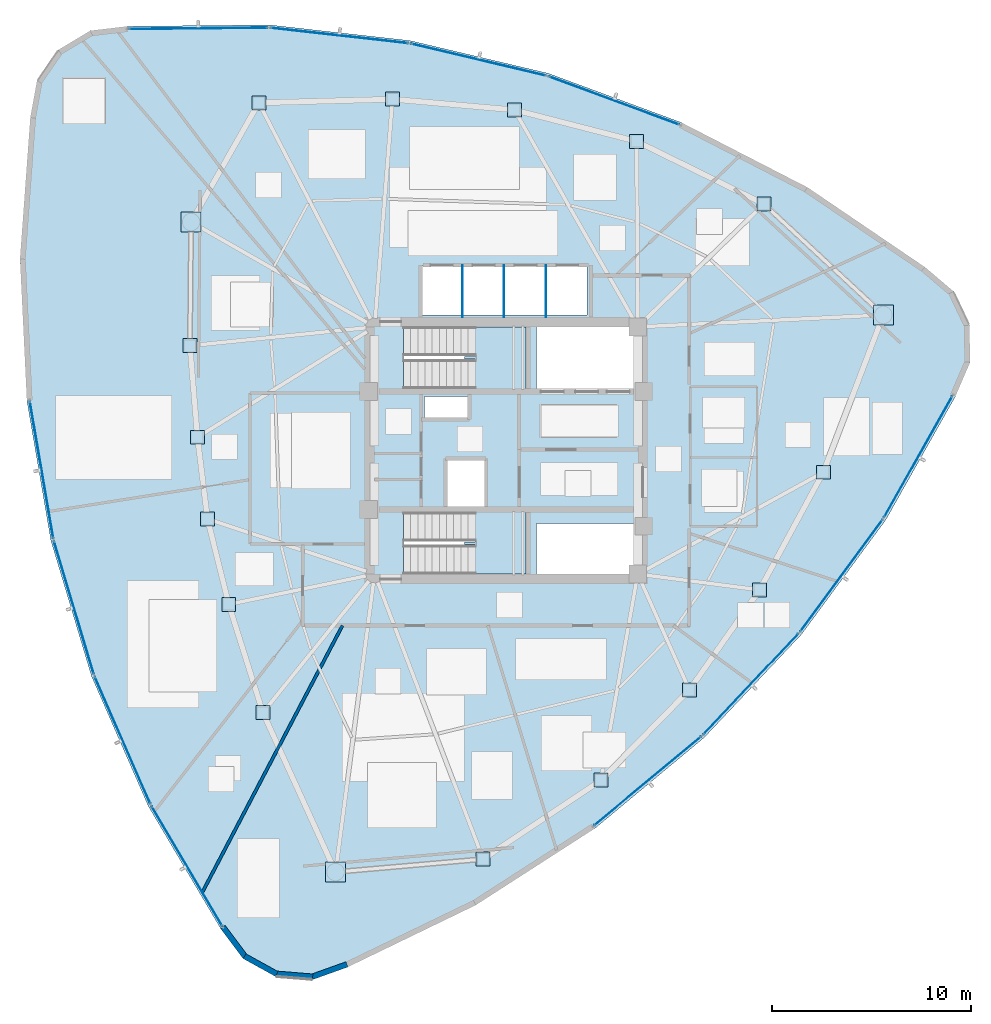
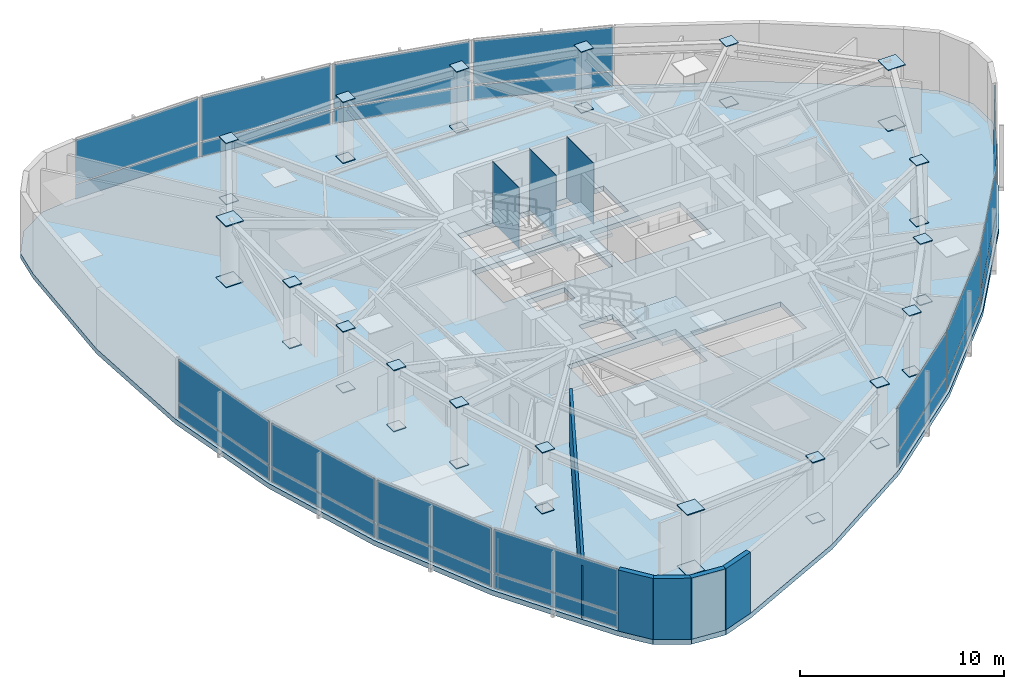
# One storey, part 9 of 15: 63 plates, 5 walls, 3 slabs, 14 elements without a shape of their own.
"""IFC4 building model written with IfcOpenShell, lengths in metres."""

from ifc_helpers import new_model, si_unit, direction, frame, frame_2d, origin, origin_2d, place, context, subcontext, project, spatial, polyline, rectangle, outline, extrude, source, transform, mapped, material, layer, layer_set, type_object, type_shapes, element, aggregate, save


model = new_model("IFC4")

# Units and contexts
model_context = context("Model", 3, precision=1e-05, world=origin(), true_north=direction((0.0, 1.0)))
body_context = subcontext(model_context, "Body", "Model", "MODEL_VIEW")
ifc_project = project(units=[si_unit("LENGTHUNIT", "METRE"), si_unit("AREAUNIT", "SQUARE_METRE"), si_unit("VOLUMEUNIT", "CUBIC_METRE"), si_unit("PLANEANGLEUNIT", "RADIAN"), si_unit("MASSUNIT", "GRAM", prefix="KILO")], contexts=[model_context])

# Site, building, storey
site_placement = place(None, origin())
site = spatial("IfcSite", under=ifc_project, at=site_placement, CompositionType="ELEMENT")
building_placement = place(site_placement, origin())
building = spatial("IfcBuilding", under=site, at=building_placement, Name="Tavelor Broadcast Tower", CompositionType="ELEMENT")
storey_placement = place(building_placement, frame((0.0, 0.0, 222.14990234375)))
storey = spatial("IfcBuildingStorey", under=building, at=storey_placement, Name="L52", CompositionType="ELEMENT", Elevation=222.14990234375)

# Stair, slab
ifc_material_1 = material(Name="Concrete C40/50", Category="concrete")
stair_type = type_object("IfcStairType", Name="Reinforced Concrete Protected Dogleg Stair 1450 mm", PredefinedType="HALF_TURN_STAIR", material=ifc_material_1)
stair_1_placement = place(storey_placement, origin())
stair_1 = element("IfcStair", 1, at=stair_1_placement, inside=storey, type_object=stair_type, Name="L52 Protected Core Exit Stair ST1", PredefinedType="HALF_TURN_STAIR")
ifc_layer_1 = layer(ifc_material_1, 0.199951171875)
ifc_layer_set_1 = layer_set([ifc_layer_1], Name="Concrete C40/50")
slab_type_1 = type_object("IfcSlabType", Name="Reinforced Concrete Stair Half-Landing Slab 200 mm", PredefinedType="LANDING", material=ifc_layer_set_1)
slab_1_placement = place(storey_placement, frame((0.0, 0.0, 1.775146484375)))
slab_1 = element("IfcSlab", 2, at=slab_1_placement, type_object=slab_type_1, Name="ST1 landing 1", PredefinedType="LANDING", context=body_context, shape_type="SweptSolid", body=[
    extrude(outline(polyline([(48.445068359375, 49.590087890625), (48.445068359375, 48.094970703125), (51.0048828125, 48.094970703125), (51.0048828125, 51.205078125), (48.445068359375, 51.205078125), (48.445068359375, 49.7099609375), (47.905029296875, 49.7099609375), (47.905029296875, 49.590087890625), (48.445068359375, 49.590087890625)])), origin(), (0.0, 0.0, 1.0), 0.199951171875),
])
aggregate(stair_1, [slab_1])

stair_2_placement = place(storey_placement, origin())
stair_2 = element("IfcStair", 3, at=stair_2_placement, inside=storey, type_object=stair_type, Name="L52 Protected Core Exit Stair ST2", PredefinedType="HALF_TURN_STAIR")
slab_2_placement = place(storey_placement, frame((0.0, 0.0, 1.775146484375)))
slab_2 = element("IfcSlab", 4, at=slab_2_placement, type_object=slab_type_1, Name="ST2 landing 1", PredefinedType="LANDING", context=body_context, shape_type="SweptSolid", body=[
    extrude(outline(polyline([(48.445068359375, 40.2900390625), (48.445068359375, 38.794921875), (51.0048828125, 38.794921875), (51.0048828125, 41.905029296875), (48.445068359375, 41.905029296875), (48.445068359375, 40.409912109375), (47.905029296875, 40.409912109375), (47.905029296875, 40.2900390625), (48.445068359375, 40.2900390625)])), origin(), (0.0, 0.0, 1.0), 0.199951171875),
])
aggregate(stair_2, [slab_2])

# Slab
ifc_layer_2 = layer(ifc_material_1, 0.300048828125)
ifc_layer_set_2 = layer_set([ifc_layer_2], Name="Concrete C40/50")
slab_type_2 = type_object("IfcSlabType", Name="Tower Composite Floor Slab 300 mm", PredefinedType="FLOOR", material=ifc_layer_set_2)
slab_3_placement = place(storey_placement, frame((0.0, 0.0, -0.2998046875)))
element("IfcSlab", 5, at=slab_3_placement, inside=storey, type_object=slab_type_2, Name="L52 Structural Floor Slab", PredefinedType="FLOOR", context=body_context, shape_type="SweptSolid", body=[
    extrude(outline(polyline([(30.9912109375, 66.277587890625), (29.1337890625, 66.0576171875), (27.531494140625, 65.093017578125), (26.468017578125, 63.554443359375), (26.132080078125, 61.714599609375), (25.613525390625, 54.614501953125), (25.9580078125, 47.50390625), (27.16064453125, 40.4873046875), (29.203369140625, 33.66796875), (32.056396484375, 27.145751953125), (35.677490234375, 21.0166015625), (36.796630859375, 19.51806640625), (38.43310546875, 18.61279296875), (40.29736328125, 18.461181640625), (42.058837890625, 19.090087890625), (48.466796875, 22.191162109375), (54.452392578125, 26.044921875), (59.927734375, 30.594482421875), (64.812255859375, 35.773193359375), (69.0341796875, 41.505126953125), (72.53125, 47.705810546875), (73.26953125, 49.42431640625), (73.2353515625, 51.294189453125), (72.4345703125, 52.984375), (71.00927734375, 54.1953125), (65.11962890625, 58.1943359375), (58.78955078125, 61.451171875), (52.11181640625, 63.918212890625), (45.1845703125, 65.558837890625), (38.109619140625, 66.34912109375), (30.9912109375, 66.277587890625)]), holes=[polyline([(56.60009765625, 41.35009765625), (56.60009765625, 38.800048828125), (51.52001953125, 38.800048828125), (51.52001953125, 41.35009765625), (56.60009765625, 41.35009765625)]), polyline([(50.99609375, 38.803955078125), (44.85400390625, 38.803955078125), (44.85400390625, 41.89599609375), (50.99609375, 41.89599609375), (50.99609375, 38.803955078125)]), polyline([(47.050048828125, 42.199951171875), (47.050048828125, 44.550048828125), (48.949951171875, 44.550048828125), (48.949951171875, 42.199951171875), (47.050048828125, 42.199951171875)]), polyline([(48.050048828125, 46.64990234375), (45.89990234375, 46.64990234375), (45.89990234375, 47.699951171875), (48.050048828125, 47.699951171875), (48.050048828125, 46.64990234375)]), polyline([(50.99609375, 48.10400390625), (44.85400390625, 48.10400390625), (44.85400390625, 51.196044921875), (50.99609375, 51.196044921875), (50.99609375, 48.10400390625)]), polyline([(56.60009765625, 48.10009765625), (51.52001953125, 48.10009765625), (51.52001953125, 51.199951171875), (56.60009765625, 51.199951171875), (56.60009765625, 48.10009765625)]), polyline([(54.050048828125, 51.800048828125), (45.800048828125, 51.800048828125), (45.800048828125, 54.25), (54.050048828125, 54.25), (54.050048828125, 51.800048828125)])]), origin(), (0.0, 0.0, 1.0), 0.2998046875),
])

# Plates
ifc_material_2 = material(Name="Steel S460", Category="steel")
ifc_layer_3 = layer(ifc_material_2, 0.050048828125)
ifc_layer_set_3 = layer_set([ifc_layer_3], Name="Steel S460")
plate_type_1 = type_object("IfcPlateType", Name="Tube Hollow-End Cap Plate KN05 700x700x50", PredefinedType="USERDEFINED", material=ifc_layer_set_3)
shared_shape_1 = source(origin(), body_context, "Body", "SweptSolid", [
    extrude(rectangle(XDim=0.699951171875, YDim=0.699951171875, at=origin_2d()), origin(), (0.0, 0.0, 1.0), 0.054931640625),
])
for number, where, z_axis, x_axis, name in (
    (6, (34.13720703125, 50.255859375, -0.02734375), (0.0, 0.0, 1.0), (1.0, 0.0, 0.0), "L52 Hollow End Cap Plate KN05 #1527"),
    (7, (34.13720703125, 50.255859375, 3.62255859375), (0.0, 0.0, 1.0), (1.0, 0.0, 0.0), "L52 Hollow End Cap Plate KN05 #1528"),
    (8, (34.513671875, 45.66455078125, -0.02734375), (0.0, 0.0, 1.0), (1.0, 0.0, 0.0), "L52 Hollow End Cap Plate KN05 #1529"),
    (9, (34.513671875, 45.66455078125, 3.62255859375), (0.0, 0.0, 1.0), (1.0, 0.0, 0.0), "L52 Hollow End Cap Plate KN05 #1530"),
    (10, (35.018798828125, 41.56396484375, -0.02734375), (0.0, 0.0, 1.0), (1.0, 0.0, 0.0), "L52 Hollow End Cap Plate KN05 #1531"),
    (11, (35.018798828125, 41.56396484375, 3.62255859375), (0.0, 0.0, 1.0), (1.0, 0.0, 0.0), "L52 Hollow End Cap Plate KN05 #1532"),
    (12, (36.08349609375, 37.2822265625, -0.02734375), (0.0, 0.0, 1.0), (1.0, 0.0, 0.0), "L52 Hollow End Cap Plate KN05 #1533"),
    (13, (36.08349609375, 37.2822265625, 3.62255859375), (0.0, 0.0, 1.0), (1.0, 0.0, 0.0), "L52 Hollow End Cap Plate KN05 #1534"),
    (14, (37.797119140625, 31.853271484375, -0.02734375), (0.0, 0.0, 1.0), (1.0, 0.0, 0.0), "L52 Hollow End Cap Plate KN05 #1535"),
    (15, (37.797119140625, 31.853271484375, 3.62255859375), (0.0, 0.0, 1.0), (1.0, 0.0, 0.0), "L52 Hollow End Cap Plate KN05 #1536"),
    (16, (48.843994140625, 24.5048828125, -0.02734375), (0.0, 0.0, 1.0), (1.0, 0.0, 0.0), "L52 Hollow End Cap Plate KN05 #1539"),
    (17, (48.843994140625, 24.5048828125, 3.62255859375), (0.0, 0.0, 1.0), (1.0, 0.0, 0.0), "L52 Hollow End Cap Plate KN05 #1540"),
    (18, (54.754150390625, 28.461669921875, -0.02734375), (0.0, 0.0, 1.0), (1.0, 0.0, 0.0), "L52 Hollow End Cap Plate KN05 #1541"),
    (19, (54.754150390625, 28.461669921875, 3.62255859375), (0.0, 0.0, 1.0), (1.0, 0.0, 0.0), "L52 Hollow End Cap Plate KN05 #1542"),
    (20, (59.1923828125, 32.987060546875, -0.02734375), (0.0, 0.0, 1.0), (1.0, 0.0, 0.0), "L52 Hollow End Cap Plate KN05 #1543"),
    (21, (59.1923828125, 32.987060546875, 3.62255859375), (0.0, 0.0, 1.0), (1.0, 0.0, 0.0), "L52 Hollow End Cap Plate KN05 #1544"),
    (22, (62.7109375, 38.009033203125, -0.02734375), (0.0, 0.0, 1.0), (1.0, 0.0, 0.0), "L52 Hollow End Cap Plate KN05 #1545"),
    (23, (62.7109375, 38.009033203125, 3.62255859375), (0.0, 0.0, 1.0), (1.0, 0.0, 0.0), "L52 Hollow End Cap Plate KN05 #1546"),
    (24, (65.9072265625, 43.909423828125, -0.02734375), (0.0, 0.0, 1.0), (1.0, 0.0, 0.0), "L52 Hollow End Cap Plate KN05 #1547"),
    (25, (65.9072265625, 43.909423828125, 3.62255859375), (0.0, 0.0, 1.0), (1.0, 0.0, 0.0), "L52 Hollow End Cap Plate KN05 #1548"),
    (26, (62.92724609375, 57.364013671875, -0.02734375), (0.0, 0.0, 1.0), (1.0, 0.0, 0.0), "L52 Hollow End Cap Plate KN05 #1551"),
    (27, (62.92724609375, 57.364013671875, 3.62255859375), (0.0, 0.0, 1.0), (1.0, 0.0, 0.0), "L52 Hollow End Cap Plate KN05 #1552"),
    (28, (56.545654296875, 60.504150390625, -0.02734375), (0.0, 0.0, 1.0), (1.0, 0.0, 0.0), "L52 Hollow End Cap Plate KN05 #1553"),
    (29, (56.545654296875, 60.504150390625, 3.62255859375), (0.0, 0.0, 1.0), (1.0, 0.0, 0.0), "L52 Hollow End Cap Plate KN05 #1554"),
    (30, (50.4072265625, 62.0849609375, -0.02734375), (0.0, 0.0, 1.0), (1.0, 0.0, 0.0), "L52 Hollow End Cap Plate KN05 #1555"),
    (31, (50.4072265625, 62.0849609375, 3.62255859375), (0.0, 0.0, 1.0), (1.0, 0.0, 0.0), "L52 Hollow End Cap Plate KN05 #1556"),
    (32, (44.298828125, 62.621337890625, -0.02734375), (0.0, 0.0, 1.0), (1.0, 0.0, 0.0), "L52 Hollow End Cap Plate KN05 #1557"),
    (33, (44.298828125, 62.621337890625, 3.62255859375), (0.0, 0.0, 1.0), (1.0, 0.0, 0.0), "L52 Hollow End Cap Plate KN05 #1558"),
    (34, (37.5908203125, 62.439208984375, -0.02734375), (0.0, 0.0, 1.0), (1.0, 0.0, 0.0), "L52 Hollow End Cap Plate KN05 #1559"),
    (35, (37.5908203125, 62.439208984375, 3.62255859375), (0.0, 0.0, 1.0), (1.0, 0.0, 0.0), "L52 Hollow End Cap Plate KN05 #1560"),
):
    element("IfcPlate", number, at=place(storey_placement, frame(where, z_axis=z_axis, x_axis=x_axis)), inside=storey, type_object=plate_type_1, Name=name, ObjectType="CAP PLATE", PredefinedType="USERDEFINED", context=body_context, shape_type="MappedRepresentation", body=[
        mapped(shared_shape_1, transform((0.0, 0.0, 0.0), scale=1.0)),
    ])
shared_shape_2 = source(origin(), body_context, "Body", "SweptSolid", [
    extrude(rectangle(XDim=0.993896484375, YDim=0.993896484375, at=origin_2d()), origin(), (0.0, 0.0, 1.0), 0.054931640625),
])
type_shapes(plate_type_1, [shared_shape_1, shared_shape_2])
for number, where, z_axis, x_axis, name in (
    (36, (34.1962890625, 56.4599609375, -0.02734375), (0.0, 0.0, 1.0), (1.0, 0.0, 0.0), "L52 Hollow End Cap Plate KN05 #1525"),
    (37, (34.1962890625, 56.4599609375, 3.62255859375), (0.0, 0.0, 1.0), (1.0, 0.0, 0.0), "L52 Hollow End Cap Plate KN05 #1526"),
    (38, (41.440185546875, 23.853759765625, -0.02734375), (0.0, 0.0, 1.0), (1.0, 0.0, 0.0), "L52 Hollow End Cap Plate KN05 #1537"),
    (39, (41.440185546875, 23.853759765625, 3.62255859375), (0.0, 0.0, 1.0), (1.0, 0.0, 0.0), "L52 Hollow End Cap Plate KN05 #1538"),
    (40, (68.919677734375, 51.799072265625, -0.02734375), (0.0, 0.0, 1.0), (1.0, 0.0, 0.0), "L52 Hollow End Cap Plate KN05 #1549"),
    (41, (68.919677734375, 51.799072265625, 3.62255859375), (0.0, 0.0, 1.0), (1.0, 0.0, 0.0), "L52 Hollow End Cap Plate KN05 #1550"),
):
    element("IfcPlate", number, at=place(storey_placement, frame(where, z_axis=z_axis, x_axis=x_axis)), inside=storey, type_object=plate_type_1, Name=name, ObjectType="CAP PLATE", PredefinedType="USERDEFINED", context=body_context, shape_type="MappedRepresentation", body=[
        mapped(shared_shape_2, transform((0.0, 0.0, 0.0), scale=1.0)),
    ])
ifc_material_3 = material(Name="Steel S355", Category="steel")
ifc_layer_4 = layer(ifc_material_3, 0.011962890625)
ifc_layer_set_4 = layer_set([ifc_layer_4], Name="Steel S355")
plate_type_2 = type_object("IfcPlateType", Name="Hoistway Steel Separator Screen 12 mm", PredefinedType="SHEET", material=ifc_layer_set_4)
shared_shape_3 = source(origin(), body_context, "Body", "SweptSolid", [
    extrude(rectangle(XDim=0.02001953125, YDim=2.6201171875, at=origin_2d()), origin(), (0.0, 0.0, 1.0), 3.64990234375),
])
type_shapes(plate_type_2, [shared_shape_3])
for number, where, z_axis, x_axis, name in (
    (42, (47.800048828125, 52.989990234375, 0.000244140625), (0.0, 0.0, 1.0), (1.0, 0.0, 0.0), "L52 High-Rise Hoistway Separator Screen 1"),
    (43, (49.89990234375, 52.989990234375, 0.000244140625), (0.0, 0.0, 1.0), (1.0, 0.0, 0.0), "L52 High-Rise Hoistway Separator Screen 2"),
    (44, (52.0, 52.989990234375, 0.000244140625), (0.0, 0.0, 1.0), (1.0, 0.0, 0.0), "L52 High-Rise Hoistway Separator Screen 3"),
):
    element("IfcPlate", number, at=place(storey_placement, frame(where, z_axis=z_axis, x_axis=x_axis)), inside=storey, type_object=plate_type_2, Name=name, PredefinedType="SHEET", context=body_context, shape_type="MappedRepresentation", body=[
        mapped(shared_shape_3, transform((0.0, 0.0, 0.0), scale=1.0)),
    ])

# Curtain wall, plate
ifc_material_4 = material(Name="Architectural Anodized Aluminium", Category="aluminium")
ifc_layer_5 = layer(ifc_material_4, 0.199951171875)
ifc_layer_set_5 = layer_set([ifc_layer_5], Name="Architectural Anodized Aluminium")
curtain_wall_type = type_object("IfcCurtainWallType", Name="Tower High-Zone Triple-Glazed Curtain Wall CW04", PredefinedType="NOTDEFINED", material=ifc_layer_set_5)
curtain_wall_1_placement = place(storey_placement, origin())
curtain_wall_1 = element("IfcCurtainWall", 45, at=curtain_wall_1_placement, inside=storey, type_object=curtain_wall_type, Name="L52 Curtain Wall CW04 Run 553", PredefinedType="NOTDEFINED")
ifc_material_5 = material(Name="High-Altitude Triple Glazing 36 mm", Category="glass")
ifc_layer_6 = layer(ifc_material_5, 0.035888671875)
ifc_layer_set_6 = layer_set([ifc_layer_6], Name="High-Altitude Triple Glazing 36 mm")
plate_type_3 = type_object("IfcPlateType", Name="CW04 Insulated Vision Glazing Panel 36 mm", PredefinedType="CURTAIN_PANEL", material=ifc_layer_set_6)
shared_shape_4 = source(origin(), body_context, "Body", "SweptSolid", [
    extrude(rectangle(XDim=6.947021484375, YDim=0.035888671875, at=origin_2d()), origin(), (0.0, 0.0, 1.0), 0.844970703125),
])
plate_1_placement = place(storey_placement, frame((26.696044921875, 44.02685546875, 0.0703125), z_axis=(0.0, 0.0, 1.0), x_axis=(0.168916425676, -0.985630377544, 0.0)))
plate_1 = element("IfcPlate", 46, at=plate_1_placement, type_object=plate_type_3, Name="CW04 panel 1.1", PredefinedType="CURTAIN_PANEL", context=body_context, shape_type="MappedRepresentation", body=[
    mapped(shared_shape_4, transform((0.0, 0.0, 0.0), scale=1.0)),
])

curtain_wall_2_placement = place(storey_placement, origin())
curtain_wall_2 = element("IfcCurtainWall", 47, at=curtain_wall_2_placement, inside=storey, type_object=curtain_wall_type, Name="L52 Curtain Wall CW04 Run 557", PredefinedType="NOTDEFINED")
plate_2_placement = place(storey_placement, frame((57.094970703125, 28.422607421875, 0.0703125), z_axis=(0.0, 0.0, 1.0), x_axis=(0.769119197463, 0.63910535915, 0.0)))
plate_2 = element("IfcPlate", 48, at=plate_2_placement, type_object=plate_type_3, Name="CW04 panel 1.1", PredefinedType="CURTAIN_PANEL", context=body_context, shape_type="MappedRepresentation", body=[
    mapped(shared_shape_4, transform((0.0, 0.0, 0.0), scale=1.0)),
])

curtain_wall_3_placement = place(storey_placement, origin())
curtain_wall_3 = element("IfcCurtainWall", 49, at=curtain_wall_3_placement, inside=storey, type_object=curtain_wall_type, Name="L52 Curtain Wall CW04 Run 561", PredefinedType="NOTDEFINED")
plate_3_placement = place(storey_placement, frame((55.4091796875, 62.55078125, 0.0703125), z_axis=(0.0, 0.0, 1.0), x_axis=(-0.93804017244, 0.346526528405, 0.0)))
plate_3 = element("IfcPlate", 50, at=plate_3_placement, type_object=plate_type_3, Name="CW04 panel 1.1", PredefinedType="CURTAIN_PANEL", context=body_context, shape_type="MappedRepresentation", body=[
    mapped(shared_shape_4, transform((0.0, 0.0, 0.0), scale=1.0)),
])

# Plate
shared_shape_5 = source(origin(), body_context, "Body", "SweptSolid", [
    extrude(rectangle(XDim=6.947021484375, YDim=0.035888671875, at=origin_2d()), origin(), (0.0, 0.0, 1.0), 2.594970703125),
])
plate_4_placement = place(storey_placement, frame((26.696044921875, 44.02685546875, 0.9853515625), z_axis=(0.0, 0.0, 1.0), x_axis=(0.168916425676, -0.985630377544, 0.0)))
plate_4 = element("IfcPlate", 51, at=plate_4_placement, type_object=plate_type_3, Name="CW04 panel 1.2", PredefinedType="CURTAIN_PANEL", context=body_context, shape_type="MappedRepresentation", body=[
    mapped(shared_shape_5, transform((0.0, 0.0, 0.0), scale=1.0)),
])

aggregate(curtain_wall_1, [plate_1, plate_4])

plate_5_placement = place(storey_placement, frame((57.094970703125, 28.422607421875, 0.9853515625), z_axis=(0.0, 0.0, 1.0), x_axis=(0.769119197463, 0.63910535915, 0.0)))
plate_5 = element("IfcPlate", 52, at=plate_5_placement, type_object=plate_type_3, Name="CW04 panel 1.2", PredefinedType="CURTAIN_PANEL", context=body_context, shape_type="MappedRepresentation", body=[
    mapped(shared_shape_5, transform((0.0, 0.0, 0.0), scale=1.0)),
])

aggregate(curtain_wall_2, [plate_2, plate_5])

plate_6_placement = place(storey_placement, frame((55.4091796875, 62.55078125, 0.9853515625), z_axis=(0.0, 0.0, 1.0), x_axis=(-0.93804017244, 0.346526528405, 0.0)))
plate_6 = element("IfcPlate", 53, at=plate_6_placement, type_object=plate_type_3, Name="CW04 panel 1.2", PredefinedType="CURTAIN_PANEL", context=body_context, shape_type="MappedRepresentation", body=[
    mapped(shared_shape_5, transform((0.0, 0.0, 0.0), scale=1.0)),
])

aggregate(curtain_wall_3, [plate_3, plate_6])

# Curtain wall, plate
curtain_wall_4_placement = place(storey_placement, origin())
curtain_wall_4 = element("IfcCurtainWall", 54, at=curtain_wall_4_placement, inside=storey, type_object=curtain_wall_type, Name="L52 Curtain Wall CW04 Run 554", PredefinedType="NOTDEFINED")
shared_shape_6 = source(origin(), body_context, "Body", "SweptSolid", [
    extrude(rectangle(XDim=6.931884765625, YDim=0.035888671875, at=origin_2d()), origin(), (0.0, 0.0, 1.0), 0.844970703125),
])
plate_7_placement = place(storey_placement, frame((28.316162109375, 37.117919921875, 0.0703125), z_axis=(0.0, 0.0, 1.0), x_axis=(0.286952187862, -0.957944905452, 0.0)))
plate_7 = element("IfcPlate", 55, at=plate_7_placement, type_object=plate_type_3, Name="CW04 panel 1.1", PredefinedType="CURTAIN_PANEL", context=body_context, shape_type="MappedRepresentation", body=[
    mapped(shared_shape_6, transform((0.0, 0.0, 0.0), scale=1.0)),
])

curtain_wall_5_placement = place(storey_placement, origin())
curtain_wall_5 = element("IfcCurtainWall", 56, at=curtain_wall_5_placement, inside=storey, type_object=curtain_wall_type, Name="L52 Curtain Wall CW04 Run 555", PredefinedType="NOTDEFINED")
plate_8_placement = place(storey_placement, frame((30.758056640625, 30.462890625, 0.0703125), z_axis=(0.0, 0.0, 1.0), x_axis=(0.400741685755, -0.916191083398, 0.0)))
plate_8 = element("IfcPlate", 57, at=plate_8_placement, type_object=plate_type_3, Name="CW04 panel 1.1", PredefinedType="CURTAIN_PANEL", context=body_context, shape_type="MappedRepresentation", body=[
    mapped(shared_shape_6, transform((0.0, 0.0, 0.0), scale=1.0)),
])

curtain_wall_6_placement = place(storey_placement, origin())
curtain_wall_6 = element("IfcCurtainWall", 58, at=curtain_wall_6_placement, inside=storey, type_object=curtain_wall_type, Name="L52 Curtain Wall CW04 Run 558", PredefinedType="NOTDEFINED")
plate_9_placement = place(storey_placement, frame((62.26806640625, 33.280029296875, 0.0703125), z_axis=(0.0, 0.0, 1.0), x_axis=(0.686130922184, 0.727478080511, 0.0)))
plate_9 = element("IfcPlate", 59, at=plate_9_placement, type_object=plate_type_3, Name="CW04 panel 1.1", PredefinedType="CURTAIN_PANEL", context=body_context, shape_type="MappedRepresentation", body=[
    mapped(shared_shape_6, transform((0.0, 0.0, 0.0), scale=1.0)),
])

curtain_wall_7_placement = place(storey_placement, origin())
curtain_wall_7 = element("IfcCurtainWall", 60, at=curtain_wall_7_placement, inside=storey, type_object=curtain_wall_type, Name="L52 Curtain Wall CW04 Run 559", PredefinedType="NOTDEFINED")
plate_10_placement = place(storey_placement, frame((66.810302734375, 38.722412109375, 0.0703125), z_axis=(0.0, 0.0, 1.0), x_axis=(0.593054322738, 0.805162449623, 0.0)))
plate_10 = element("IfcPlate", 61, at=plate_10_placement, type_object=plate_type_3, Name="CW04 panel 1.1", PredefinedType="CURTAIN_PANEL", context=body_context, shape_type="MappedRepresentation", body=[
    mapped(shared_shape_6, transform((0.0, 0.0, 0.0), scale=1.0)),
])

curtain_wall_8_placement = place(storey_placement, origin())
curtain_wall_8 = element("IfcCurtainWall", 62, at=curtain_wall_8_placement, inside=storey, type_object=curtain_wall_type, Name="L52 Curtain Wall CW04 Run 562", PredefinedType="NOTDEFINED")
plate_11_placement = place(storey_placement, frame((48.615966796875, 64.602294921875, 0.0703125), z_axis=(0.0, 0.0, 1.0), x_axis=(-0.973078034237, 0.230475897407, 0.0)))
plate_11 = element("IfcPlate", 63, at=plate_11_placement, type_object=plate_type_3, Name="CW04 panel 1.1", PredefinedType="CURTAIN_PANEL", context=body_context, shape_type="MappedRepresentation", body=[
    mapped(shared_shape_6, transform((0.0, 0.0, 0.0), scale=1.0)),
])

curtain_wall_9_placement = place(storey_placement, origin())
curtain_wall_9 = element("IfcCurtainWall", 64, at=curtain_wall_9_placement, inside=storey, type_object=curtain_wall_type, Name="L52 Curtain Wall CW04 Run 563", PredefinedType="NOTDEFINED")
plate_12_placement = place(storey_placement, frame((41.631591796875, 65.81494140625, 0.0703125), z_axis=(0.0, 0.0, 1.0), x_axis=(-0.993818550903, 0.111016610833, 0.0)))
plate_12 = element("IfcPlate", 65, at=plate_12_placement, type_object=plate_type_3, Name="CW04 panel 1.1", PredefinedType="CURTAIN_PANEL", context=body_context, shape_type="MappedRepresentation", body=[
    mapped(shared_shape_6, transform((0.0, 0.0, 0.0), scale=1.0)),
])

# Plate
shared_shape_7 = source(origin(), body_context, "Body", "SweptSolid", [
    extrude(rectangle(XDim=6.931884765625, YDim=0.035888671875, at=origin_2d()), origin(), (0.0, 0.0, 1.0), 2.594970703125),
])
plate_13_placement = place(storey_placement, frame((28.316162109375, 37.117919921875, 0.9853515625), z_axis=(0.0, 0.0, 1.0), x_axis=(0.286952187862, -0.957944905452, 0.0)))
plate_13 = element("IfcPlate", 66, at=plate_13_placement, type_object=plate_type_3, Name="CW04 panel 1.2", PredefinedType="CURTAIN_PANEL", context=body_context, shape_type="MappedRepresentation", body=[
    mapped(shared_shape_7, transform((0.0, 0.0, 0.0), scale=1.0)),
])

aggregate(curtain_wall_4, [plate_7, plate_13])

plate_14_placement = place(storey_placement, frame((30.758056640625, 30.462890625, 0.9853515625), z_axis=(0.0, 0.0, 1.0), x_axis=(0.400741685755, -0.916191083398, 0.0)))
plate_14 = element("IfcPlate", 67, at=plate_14_placement, type_object=plate_type_3, Name="CW04 panel 1.2", PredefinedType="CURTAIN_PANEL", context=body_context, shape_type="MappedRepresentation", body=[
    mapped(shared_shape_7, transform((0.0, 0.0, 0.0), scale=1.0)),
])

aggregate(curtain_wall_5, [plate_8, plate_14])

plate_15_placement = place(storey_placement, frame((62.26806640625, 33.280029296875, 0.9853515625), z_axis=(0.0, 0.0, 1.0), x_axis=(0.686130922184, 0.727478080511, 0.0)))
plate_15 = element("IfcPlate", 68, at=plate_15_placement, type_object=plate_type_3, Name="CW04 panel 1.2", PredefinedType="CURTAIN_PANEL", context=body_context, shape_type="MappedRepresentation", body=[
    mapped(shared_shape_7, transform((0.0, 0.0, 0.0), scale=1.0)),
])

aggregate(curtain_wall_6, [plate_9, plate_15])

plate_16_placement = place(storey_placement, frame((66.810302734375, 38.722412109375, 0.9853515625), z_axis=(0.0, 0.0, 1.0), x_axis=(0.593054322738, 0.805162449623, 0.0)))
plate_16 = element("IfcPlate", 69, at=plate_16_placement, type_object=plate_type_3, Name="CW04 panel 1.2", PredefinedType="CURTAIN_PANEL", context=body_context, shape_type="MappedRepresentation", body=[
    mapped(shared_shape_7, transform((0.0, 0.0, 0.0), scale=1.0)),
])

aggregate(curtain_wall_7, [plate_10, plate_16])

plate_17_placement = place(storey_placement, frame((48.615966796875, 64.602294921875, 0.9853515625), z_axis=(0.0, 0.0, 1.0), x_axis=(-0.973078034237, 0.230475897407, 0.0)))
plate_17 = element("IfcPlate", 70, at=plate_17_placement, type_object=plate_type_3, Name="CW04 panel 1.2", PredefinedType="CURTAIN_PANEL", context=body_context, shape_type="MappedRepresentation", body=[
    mapped(shared_shape_7, transform((0.0, 0.0, 0.0), scale=1.0)),
])

aggregate(curtain_wall_8, [plate_11, plate_17])

plate_18_placement = place(storey_placement, frame((41.631591796875, 65.81494140625, 0.9853515625), z_axis=(0.0, 0.0, 1.0), x_axis=(-0.993818550903, 0.111016610833, 0.0)))
plate_18 = element("IfcPlate", 71, at=plate_18_placement, type_object=plate_type_3, Name="CW04 panel 1.2", PredefinedType="CURTAIN_PANEL", context=body_context, shape_type="MappedRepresentation", body=[
    mapped(shared_shape_7, transform((0.0, 0.0, 0.0), scale=1.0)),
])

aggregate(curtain_wall_9, [plate_12, plate_18])

# Curtain wall, plate
curtain_wall_10_placement = place(storey_placement, origin())
curtain_wall_10 = element("IfcCurtainWall", 72, at=curtain_wall_10_placement, inside=storey, type_object=curtain_wall_type, Name="L52 Curtain Wall CW04 Run 556", PredefinedType="NOTDEFINED")
shared_shape_8 = source(origin(), body_context, "Body", "SweptSolid", [
    extrude(rectangle(XDim=6.94775390625, YDim=0.035888671875, at=origin_2d()), origin(), (0.0, 0.0, 1.0), 0.844970703125),
])
plate_19_placement = place(storey_placement, frame((33.991455078125, 24.1455078125, 0.0703125), z_axis=(0.0, 0.0, 1.0), x_axis=(0.508687007192, -0.860951525182, 0.0)))
plate_19 = element("IfcPlate", 73, at=plate_19_placement, type_object=plate_type_3, Name="CW04 panel 1.1", PredefinedType="CURTAIN_PANEL", context=body_context, shape_type="MappedRepresentation", body=[
    mapped(shared_shape_8, transform((0.0, 0.0, 0.0), scale=1.0)),
])

curtain_wall_11_placement = place(storey_placement, origin())
curtain_wall_11 = element("IfcCurtainWall", 74, at=curtain_wall_11_placement, inside=storey, type_object=curtain_wall_type, Name="L52 Curtain Wall CW04 Run 560", PredefinedType="NOTDEFINED")
plate_20_placement = place(storey_placement, frame((70.66455078125, 44.68115234375, 0.0703125), z_axis=(0.0, 0.0, 1.0), x_axis=(0.491252302369, 0.871017322111, 0.0)))
plate_20 = element("IfcPlate", 75, at=plate_20_placement, type_object=plate_type_3, Name="CW04 panel 1.1", PredefinedType="CURTAIN_PANEL", context=body_context, shape_type="MappedRepresentation", body=[
    mapped(shared_shape_8, transform((0.0, 0.0, 0.0), scale=1.0)),
])

curtain_wall_12_placement = place(storey_placement, origin())
curtain_wall_12 = element("IfcCurtainWall", 76, at=curtain_wall_12_placement, inside=storey, type_object=curtain_wall_type, Name="L52 Curtain Wall CW04 Run 564", PredefinedType="NOTDEFINED")
plate_21_placement = place(storey_placement, frame((34.543701171875, 66.17333984375, 0.0703125), z_axis=(0.0, 0.0, 1.0), x_axis=(-0.999949400968, -0.010059597642, 0.0)))
plate_21 = element("IfcPlate", 77, at=plate_21_placement, type_object=plate_type_3, Name="CW04 panel 1.1", PredefinedType="CURTAIN_PANEL", context=body_context, shape_type="MappedRepresentation", body=[
    mapped(shared_shape_8, transform((0.0, 0.0, 0.0), scale=1.0)),
])

# Plate
shared_shape_9 = source(origin(), body_context, "Body", "SweptSolid", [
    extrude(rectangle(XDim=6.94775390625, YDim=0.035888671875, at=origin_2d()), origin(), (0.0, 0.0, 1.0), 2.594970703125),
])
type_shapes(plate_type_3, [shared_shape_4, shared_shape_5, shared_shape_6, shared_shape_7, shared_shape_8, shared_shape_9])
plate_22_placement = place(storey_placement, frame((33.991455078125, 24.1455078125, 0.9853515625), z_axis=(0.0, 0.0, 1.0), x_axis=(0.508687007192, -0.860951525182, 0.0)))
plate_22 = element("IfcPlate", 78, at=plate_22_placement, type_object=plate_type_3, Name="CW04 panel 1.2", PredefinedType="CURTAIN_PANEL", context=body_context, shape_type="MappedRepresentation", body=[
    mapped(shared_shape_9, transform((0.0, 0.0, 0.0), scale=1.0)),
])

aggregate(curtain_wall_10, [plate_19, plate_22])

plate_23_placement = place(storey_placement, frame((70.66455078125, 44.68115234375, 0.9853515625), z_axis=(0.0, 0.0, 1.0), x_axis=(0.491252302369, 0.871017322111, 0.0)))
plate_23 = element("IfcPlate", 79, at=plate_23_placement, type_object=plate_type_3, Name="CW04 panel 1.2", PredefinedType="CURTAIN_PANEL", context=body_context, shape_type="MappedRepresentation", body=[
    mapped(shared_shape_9, transform((0.0, 0.0, 0.0), scale=1.0)),
])

aggregate(curtain_wall_11, [plate_20, plate_23])

plate_24_placement = place(storey_placement, frame((34.543701171875, 66.17333984375, 0.9853515625), z_axis=(0.0, 0.0, 1.0), x_axis=(-0.999949400968, -0.010059597642, 0.0)))
plate_24 = element("IfcPlate", 80, at=plate_24_placement, type_object=plate_type_3, Name="CW04 panel 1.2", PredefinedType="CURTAIN_PANEL", context=body_context, shape_type="MappedRepresentation", body=[
    mapped(shared_shape_9, transform((0.0, 0.0, 0.0), scale=1.0)),
])

aggregate(curtain_wall_12, [plate_21, plate_24])

# Walls
ifc_material_6 = material(Name="Precast Concrete C40/50", Category="concrete")
ifc_layer_7 = layer(ifc_material_6, 0.280029296875)
ifc_layer_set_7 = layer_set([ifc_layer_7], Name="Precast Concrete C40/50")
wall_type_1 = type_object("IfcWallType", Name="Insulated Precast Terracotta Facade Wall 280 mm", PredefinedType="STANDARD", material=ifc_layer_set_7)
wall_1_placement = place(storey_placement, frame((35.7919921875, 21.09765625, 0.0), z_axis=(0.0, 0.0, 1.0), x_axis=(0.598332122908, -0.801248195441, 0.0)))
element("IfcWall", 81, at=wall_1_placement, inside=storey, type_object=wall_type_1, Name="L52 Rounded Corner Structural Cladding Pier 11", PredefinedType="STANDARD", context=body_context, shape_type="SweptSolid", body=[
    extrude(rectangle(XDim=1.8515625, YDim=0.280029296875, at=frame_2d((0.92578125, 0.0))), origin(), (0.0, 0.0, 1.0), 3.650146484375),
])
for number, where, z_axis, x_axis, name in (
    (82, (36.877685546875, 19.63330078125, 0.0), (0.0, 0.0, 1.0), (0.87505078261, -0.484031122815, 0.0), "L52 Rounded Corner Structural Cladding Pier 12"),
    (83, (38.459716796875, 18.751220703125, 0.0), (0.0, 0.0, 1.0), (0.996708507091, -0.081068809616, 0.0), "L52 Rounded Corner Structural Cladding Pier 13"),
):
    element("IfcWall", number, at=place(storey_placement, frame(where, z_axis=z_axis, x_axis=x_axis)), inside=storey, type_object=wall_type_1, Name=name, PredefinedType="STANDARD", context=body_context, shape_type="SweptSolid", body=[
        extrude(rectangle(XDim=1.840087890625, YDim=0.280029296875, at=frame_2d((0.919921875, 0.0))), origin(), (0.0, 0.0, 1.0), 3.650146484375),
    ])
wall_2_placement = place(storey_placement, frame((40.2646484375, 18.59814453125, 0.0), z_axis=(0.0, 0.0, 1.0), x_axis=(0.941744876965, 0.336328093847, 0.0)))
element("IfcWall", 84, at=wall_2_placement, inside=storey, type_object=wall_type_1, Name="L52 Rounded Corner Structural Cladding Pier 14", PredefinedType="STANDARD", context=body_context, shape_type="SweptSolid", body=[
    extrude(rectangle(XDim=1.862548828125, YDim=0.280029296875, at=frame_2d((0.93115234375, 0.0))), origin(), (0.0, 0.0, 1.0), 3.650146484375),
])
ifc_material_7 = material(Name="Gypsum Acoustic Plasterboard 150 mm", Category="gypsum")
ifc_layer_8 = layer(ifc_material_7, 0.14990234375)
ifc_layer_set_8 = layer_set([ifc_layer_8], Name="Gypsum Acoustic Plasterboard 150 mm")
wall_type_2 = type_object("IfcWallType", Name="Interior Acoustic Partition Wall 150 mm", PredefinedType="PARTITIONING", material=ifc_layer_set_8)
wall_3_placement = place(storey_placement, frame((41.787841796875, 36.219970703125, 0.0), z_axis=(0.0, 0.0, 1.0), x_axis=(-0.465038288732, -0.885290568126, 0.0)))
element("IfcWall", 85, at=wall_3_placement, inside=storey, type_object=wall_type_2, Name="L52 Radial Compartment Wall 10", PredefinedType="PARTITIONING", context=body_context, shape_type="SweptSolid", body=[
    extrude(rectangle(XDim=15.121826171875, YDim=0.14990234375, at=frame_2d((7.56103515625, 0.0))), origin(), (0.0, 0.0, 1.0), 3.135009765625),
])

save(model, "model.ifc")
